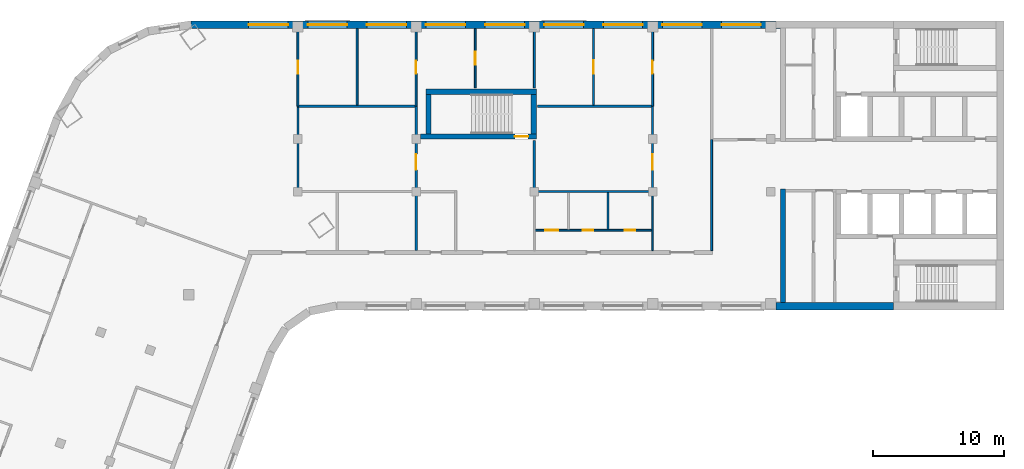
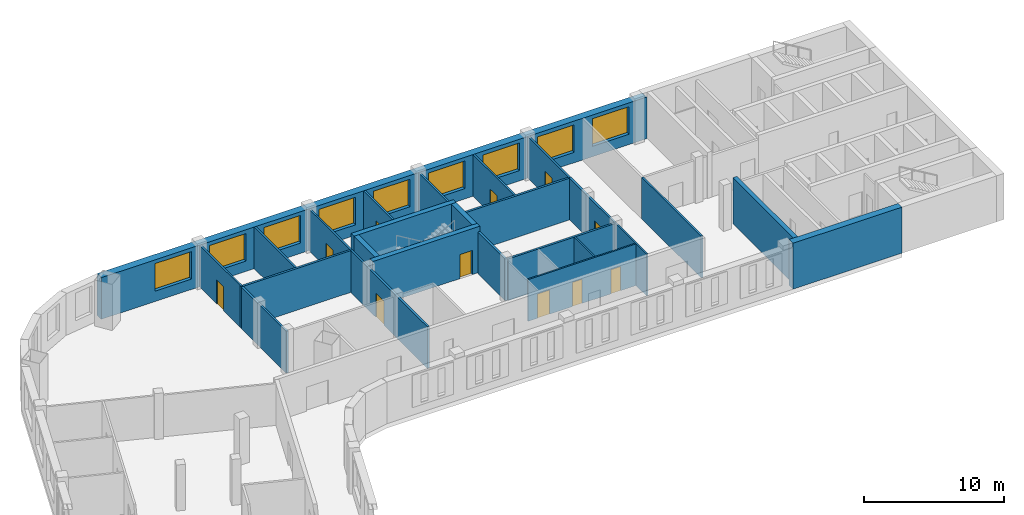
# One storey, part 5 of 9: 25 walls, 11 doors, 9 windows, 20 openings.
"""IFC4 building model written with IfcOpenShell, lengths in metres."""

from ifc_helpers import new_model, si_unit, direction, frame, frame_2d, origin, place, context, subcontext, project, spatial, rectangle, extrude, material, layer, layer_set, type_object, element, fill, save


model = new_model("IFC4")

# Units and contexts
model_context = context("Model", 3, precision=1e-05, world=origin(), true_north=direction((0.0, 1.0)))
body_context = subcontext(model_context, "Body", "Model", "MODEL_VIEW")
ifc_project = project(units=[si_unit("LENGTHUNIT", "METRE"), si_unit("AREAUNIT", "SQUARE_METRE"), si_unit("VOLUMEUNIT", "CUBIC_METRE"), si_unit("PLANEANGLEUNIT", "RADIAN"), si_unit("MASSUNIT", "GRAM", prefix="KILO")], contexts=[model_context])

# Site, building, storey
site_placement = place(None, origin())
site = spatial("IfcSite", under=ifc_project, at=site_placement, CompositionType="ELEMENT")
building_placement = place(site_placement, origin())
building = spatial("IfcBuilding", under=site, at=building_placement, Name="Skarvind Civic Tower", CompositionType="ELEMENT")
storey_placement = place(building_placement, frame((0.0, 0.0, 158.5)))
storey = spatial("IfcBuildingStorey", under=building, at=storey_placement, Name="L37", CompositionType="ELEMENT", Elevation=158.5)

# Walls
ifc_material_1 = material(Name="Acoustic gypsum board on steel studs", Category="steel")
ifc_layer_1 = layer(ifc_material_1, 0.175048828125)
ifc_layer_set_1 = layer_set([ifc_layer_1], Name="ACOUSTIC MEETING-ROOM PARTITION 175")
wall_type_1 = type_object("IfcWallType", Name="ACOUSTIC MEETING-ROOM PARTITION 175", PredefinedType="PARTITIONING", material=ifc_layer_set_1)
wall_1_placement = place(storey_placement, frame((54.25, 126.001953125, 0.0), z_axis=(0.0, 0.0, 1.0), x_axis=(0.0, 1.0, 0.0)))
element("IfcWall", 1, at=wall_1_placement, inside=storey, type_object=wall_type_1, Name="Partition 37.020", PredefinedType="PARTITIONING", context=body_context, shape_type="SweptSolid", body=[
    extrude(rectangle(XDim=6.41015625, YDim=0.175048828125, at=frame_2d((3.205078125, 0.0))), origin(), (0.0, 0.0, 1.0), 3.625),
])
wall_2_placement = place(storey_placement, frame((63.162109375, 132.5, 0.0), z_axis=(0.0, 0.0, 1.0), x_axis=(-1.0, 0.0, 0.0)))
element("IfcWall", 2, at=wall_2_placement, inside=storey, type_object=wall_type_1, Name="Partition 37.025", PredefinedType="PARTITIONING", context=body_context, shape_type="SweptSolid", body=[
    extrude(rectangle(XDim=9.0, YDim=0.175048828125, at=frame_2d((4.5, 0.0))), origin(), (0.0, 0.0, 1.0), 3.625),
])

# Wall, opening, door
wall_3_placement = place(storey_placement, frame((63.25, 132.5, 0.0), z_axis=(0.0, 0.0, 1.0), x_axis=(0.0, -1.0, 0.0)))
wall_3 = element("IfcWall", 3, at=wall_3_placement, inside=storey, type_object=wall_type_1, Name="Partition 37.026", PredefinedType="PARTITIONING", context=body_context, shape_type="SweptSolid", body=[
    extrude(rectangle(XDim=11.0, YDim=0.175048828125, at=frame_2d((5.5, 0.0))), origin(), (0.0, 0.0, 1.0), 3.625),
])
opening_1_placement = place(wall_3_placement, frame((3.64990234375, 0.0, 0.0)))
opening_1 = element("IfcOpeningElement", 4, at=opening_1_placement, cuts=wall_3, Name="Opening L37-D026", PredefinedType="OPENING", context=body_context, shape_type="SweptSolid", body=[
    extrude(rectangle(XDim=1.199951171875, YDim=2.10009765625, at=frame_2d((0.60009765625, 1.050048828125))), frame((0.0, 0.097412109375, 0.0), z_axis=(0.0, -1.0, 0.0), x_axis=(1.0, 0.0, 0.0)), (0.0, 0.0, 1.0), 0.195068359375),
])
ifc_material_2 = material(Name="Timber door leaf", Category="wood")
door_type_1 = type_object("IfcDoorType", Name="DOOR 1200X2100 DOUBLE TIMBER", OperationType="NOTDEFINED", PredefinedType="DOOR", material=ifc_material_2)
door_1_placement = place(opening_1_placement, origin())
door_1 = element("IfcDoor", 5, at=door_1_placement, inside=storey, type_object=door_type_1, Name="Door L37-D026", OperationType="DOUBLE_DOOR_SINGLE_SWING", OverallHeight=2.10009765625, OverallWidth=1.199951171875, PredefinedType="DOOR", context=body_context, shape_type="SweptSolid", body=[
    extrude(rectangle(XDim=1.199951171875, YDim=2.10009765625, at=frame_2d((0.60009765625, 1.050048828125))), frame((0.0, 0.02490234375, 0.0), z_axis=(0.0, -1.0, 0.0), x_axis=(1.0, 0.0, 0.0)), (0.0, 0.0, 1.0), 0.050048828125),
])
fill(opening_1, door_1)

# Walls
wall_4_placement = place(storey_placement, frame((72.337890625, 126.0, 0.0), z_axis=(0.0, 0.0, 1.0), x_axis=(1.0, 0.0, 0.0)))
element("IfcWall", 6, at=wall_4_placement, inside=storey, type_object=wall_type_1, Name="Partition 37.033", PredefinedType="PARTITIONING", context=body_context, shape_type="SweptSolid", body=[
    extrude(rectangle(XDim=8.82421875, YDim=0.175048828125, at=frame_2d((4.412109375, 0.0))), origin(), (0.0, 0.0, 1.0), 3.625),
])
wall_5_placement = place(storey_placement, frame((72.25, 129.89990234375, 0.0), z_axis=(0.0, 0.0, 1.0), x_axis=(0.0, -1.0, 0.0)))
element("IfcWall", 7, at=wall_5_placement, inside=storey, type_object=wall_type_1, Name="Partition 37.034", PredefinedType="PARTITIONING", context=body_context, shape_type="SweptSolid", body=[
    extrude(rectangle(XDim=3.89990234375, YDim=0.175048828125, at=frame_2d((1.949951171875, 0.0))), origin(), (0.0, 0.0, 1.0), 3.625),
])

# Wall, opening, door
wall_6_placement = place(storey_placement, frame((81.25, 132.5, 0.0), z_axis=(0.0, 0.0, 1.0), x_axis=(0.0, -1.0, 0.0)))
wall_6 = element("IfcWall", 8, at=wall_6_placement, inside=storey, type_object=wall_type_1, Name="Partition 37.040", PredefinedType="PARTITIONING", context=body_context, shape_type="SweptSolid", body=[
    extrude(rectangle(XDim=6.5, YDim=0.175048828125, at=frame_2d((3.25, 0.0))), origin(), (0.0, 0.0, 1.0), 3.625),
])
opening_2_placement = place(wall_6_placement, frame((3.64990234375, 0.0, 0.0)))
opening_2 = element("IfcOpeningElement", 9, at=opening_2_placement, cuts=wall_6, Name="Opening L37-D025", PredefinedType="OPENING", context=body_context, shape_type="SweptSolid", body=[
    extrude(rectangle(XDim=1.199951171875, YDim=2.10009765625, at=frame_2d((0.60009765625, 1.050048828125))), frame((0.0, 0.097412109375, 0.0), z_axis=(0.0, -1.0, 0.0), x_axis=(1.0, 0.0, 0.0)), (0.0, 0.0, 1.0), 0.195068359375),
])
door_2_placement = place(opening_2_placement, origin())
door_2 = element("IfcDoor", 10, at=door_2_placement, inside=storey, type_object=door_type_1, Name="Door L37-D025", OperationType="DOUBLE_DOOR_SINGLE_SWING", OverallHeight=2.10009765625, OverallWidth=1.199951171875, PredefinedType="DOOR", context=body_context, shape_type="SweptSolid", body=[
    extrude(rectangle(XDim=1.199951171875, YDim=2.10009765625, at=frame_2d((0.60009765625, 1.050048828125))), frame((0.0, 0.02490234375, 0.0), z_axis=(0.0, -1.0, 0.0), x_axis=(1.0, 0.0, 0.0)), (0.0, 0.0, 1.0), 0.050048828125),
])
fill(opening_2, door_2)

# Walls
wall_7_placement = place(storey_placement, frame((81.162109375, 132.5, 0.0), z_axis=(0.0, 0.0, 1.0), x_axis=(-1.0, 0.0, 0.0)))
element("IfcWall", 11, at=wall_7_placement, inside=storey, type_object=wall_type_1, Name="Partition 37.041", PredefinedType="PARTITIONING", context=body_context, shape_type="SweptSolid", body=[
    extrude(rectangle(XDim=8.662109375, YDim=0.175048828125, at=frame_2d((4.3310546875, 0.0))), origin(), (0.0, 0.0, 1.0), 3.625),
])
ifc_material_3 = material(Name="Concrete C60", Category="concrete")
ifc_layer_2 = layer(ifc_material_3, 0.35009765625)
ifc_layer_set_2 = layer_set([ifc_layer_2], Name="Core wall 350 C60")
wall_type_2 = type_object("IfcWallType", Name="Core wall 350 C60", PredefinedType="SHEAR", material=ifc_layer_set_2)
wall_8_placement = place(storey_placement, frame((91.175048828125, 126.199951171875, 0.0), z_axis=(0.0, 0.0, 1.0), x_axis=(0.0, -1.0, 0.0)))
element("IfcWall", 12, at=wall_8_placement, inside=storey, type_object=wall_type_2, Name="Core wall C1 north inner face L37", PredefinedType="SHEAR", context=body_context, shape_type="SweptSolid", body=[
    extrude(rectangle(XDim=8.64990234375, YDim=0.35009765625, at=frame_2d((4.324951171875, 0.0))), origin(), (0.0, 0.0, 1.0), 4.0),
])

# Wall, opening, door
ifc_layer_3 = layer(ifc_material_3, 0.39990234375)
ifc_layer_set_3 = layer_set([ifc_layer_3], Name="Core wall 400 C60")
wall_type_3 = type_object("IfcWallType", Name="Core wall 400 C60", PredefinedType="SHEAR", material=ifc_layer_set_3)
wall_9_placement = place(storey_placement, frame((63.574951171875, 130.199951171875, 0.0), z_axis=(0.0, 0.0, 1.0), x_axis=(1.0, 0.0, 0.0)))
wall_9 = element("IfcWall", 13, at=wall_9_placement, inside=storey, type_object=wall_type_3, Name="Core wall CM inner L37", PredefinedType="SHEAR", context=body_context, shape_type="SweptSolid", body=[
    extrude(rectangle(XDim=8.824951171875, YDim=0.39990234375, at=frame_2d((4.41259765625, 0.0))), origin(), (0.0, 0.0, 1.0), 4.0),
])
opening_3_placement = place(wall_9_placement, frame((7.199951171875, 0.0, 0.0)))
opening_3 = element("IfcOpeningElement", 14, at=opening_3_placement, cuts=wall_9, Name="Opening D-L37-CM-01", PredefinedType="OPENING", context=body_context, shape_type="SweptSolid", body=[
    extrude(rectangle(XDim=1.0, YDim=2.10009765625, at=frame_2d((0.5, 1.050048828125))), frame((0.0, 0.2099609375, 0.0), z_axis=(0.0, -1.0, 0.0), x_axis=(1.0, 0.0, 0.0)), (0.0, 0.0, 1.0), 0.419921875),
])
ifc_material_4 = material(Name="Fire-rated steel door", Category="steel")
door_type_2 = type_object("IfcDoorType", Name="Fire door 1000", OperationType="NOTDEFINED", PredefinedType="DOOR", material=ifc_material_4)
door_3_placement = place(opening_3_placement, origin())
door_3 = element("IfcDoor", 15, at=door_3_placement, inside=storey, type_object=door_type_2, Name="Fire door", OperationType="SINGLE_SWING_LEFT", OverallHeight=2.10009765625, OverallWidth=1.0, PredefinedType="DOOR", context=body_context, shape_type="SweptSolid", body=[
    extrude(rectangle(XDim=1.0, YDim=2.10009765625, at=frame_2d((0.5, 1.050048828125))), frame((0.0, 0.02490234375, 0.0), z_axis=(0.0, -1.0, 0.0), x_axis=(1.0, 0.0, 0.0)), (0.0, 0.0, 1.0), 0.050048828125),
])
fill(opening_3, door_3)

# Walls
wall_10_placement = place(storey_placement, frame((64.0, 133.60009765625, 0.0), z_axis=(0.0, 0.0, 1.0), x_axis=(1.0, 0.0, 0.0)))
element("IfcWall", 16, at=wall_10_placement, inside=storey, type_object=wall_type_3, Name="Core wall CM outer L37", PredefinedType="SHEAR", context=body_context, shape_type="SweptSolid", body=[
    extrude(rectangle(XDim=8.39990234375, YDim=0.39990234375, at=frame_2d((4.199951171875, 0.0))), origin(), (0.0, 0.0, 1.0), 4.0),
])
for number, where, z_axis, x_axis, name in (
    (17, (64.199951171875, 130.39990234375, 0.0), (0.0, 0.0, 1.0), (0.0, 1.0, 0.0), "Core wall CM west L37"),
    (18, (72.199951171875, 130.39990234375, 0.0), (0.0, 0.0, 1.0), (0.0, 1.0, 0.0), "Core wall CM end L37"),
):
    element("IfcWall", number, at=place(storey_placement, frame(where, z_axis=z_axis, x_axis=x_axis)), inside=storey, type_object=wall_type_3, Name=name, PredefinedType="SHEAR", context=body_context, shape_type="SweptSolid", body=[
        extrude(rectangle(XDim=3.0, YDim=0.39990234375, at=frame_2d((1.5, 0.0))), origin(), (0.0, 0.0, 1.0), 4.0),
    ])
ifc_layer_4 = layer(ifc_material_3, 0.550048828125)
ifc_layer_set_4 = layer_set([ifc_layer_4], Name="Core wall 550 C60")
wall_type_4 = type_object("IfcWallType", Name="Core wall 550 C60", PredefinedType="SHEAR", material=ifc_layer_set_4)
wall_11_placement = place(storey_placement, frame((99.60009765625, 117.27490234375, 0.0), z_axis=(0.0, 0.0, 1.0), x_axis=(-1.0, 0.0, 0.0)))
element("IfcWall", 19, at=wall_11_placement, inside=storey, type_object=wall_type_4, Name="Core wall C1 north side L37", PredefinedType="SHEAR", context=body_context, shape_type="SweptSolid", body=[
    extrude(rectangle(XDim=8.9501953125, YDim=0.550048828125, at=frame_2d((4.47509765625, 0.0))), origin(), (0.0, 0.0, 1.0), 4.0),
])

# Wall, opening, door
ifc_material_5 = material(Name="Plasterboard partition on steel studs", Category="steel")
ifc_layer_5 = layer(ifc_material_5, 0.14990234375)
ifc_layer_set_5 = layer_set([ifc_layer_5], Name="PARTITION 150")
wall_type_5 = type_object("IfcWallType", Name="PARTITION 150", PredefinedType="PARTITIONING", material=ifc_layer_set_5)
wall_12_placement = place(storey_placement, frame((54.25, 132.4970703125, 0.0), z_axis=(0.0, 0.0, 1.0), x_axis=(0.0, 1.0, 0.0)))
wall_12 = element("IfcWall", 20, at=wall_12_placement, inside=storey, type_object=wall_type_5, Name="Partition 37.021", PredefinedType="PARTITIONING", context=body_context, shape_type="SweptSolid", body=[
    extrude(rectangle(XDim=5.90185546875, YDim=0.14990234375, at=frame_2d((2.950927734375, 0.0))), origin(), (0.0, 0.0, 1.0), 3.625),
])
opening_4_placement = place(wall_12_placement, frame((2.452880859375, 0.0, 0.0)))
opening_4 = element("IfcOpeningElement", 21, at=opening_4_placement, cuts=wall_12, Name="Opening L37-D013", PredefinedType="OPENING", context=body_context, shape_type="SweptSolid", body=[
    extrude(rectangle(XDim=1.0, YDim=2.10009765625, at=frame_2d((0.5, 1.050048828125))), frame((0.0, 0.0849609375, 0.0), z_axis=(0.0, -1.0, 0.0), x_axis=(1.0, 0.0, 0.0)), (0.0, 0.0, 1.0), 0.169921875),
])
door_type_3 = type_object("IfcDoorType", Name="D1 1000x2100", OperationType="NOTDEFINED", PredefinedType="DOOR", material=ifc_material_2)
door_4_placement = place(opening_4_placement, origin())
door_4 = element("IfcDoor", 22, at=door_4_placement, inside=storey, type_object=door_type_3, Name="Door L37-D013", OperationType="SINGLE_SWING_LEFT", OverallHeight=2.10009765625, OverallWidth=1.0, PredefinedType="DOOR", context=body_context, shape_type="SweptSolid", body=[
    extrude(rectangle(XDim=1.0, YDim=2.10009765625, at=frame_2d((0.5, 1.050048828125))), frame((0.0, 0.02490234375, 0.0), z_axis=(0.0, -1.0, 0.0), x_axis=(1.0, 0.0, 0.0)), (0.0, 0.0, 1.0), 0.050048828125),
])
fill(opening_4, door_4)

# Wall
wall_13_placement = place(storey_placement, frame((58.75, 132.587890625, 0.0), z_axis=(0.0, 0.0, 1.0), x_axis=(0.0, 1.0, 0.0)))
element("IfcWall", 23, at=wall_13_placement, inside=storey, type_object=wall_type_5, Name="Partition 37.024", PredefinedType="PARTITIONING", context=body_context, shape_type="SweptSolid", body=[
    extrude(rectangle(XDim=5.81201171875, YDim=0.14990234375, at=frame_2d((2.906005859375, 0.0))), origin(), (0.0, 0.0, 1.0), 3.625),
])

# Wall, opening, door
wall_14_placement = place(storey_placement, frame((63.25, 138.39990234375, 0.0), z_axis=(0.0, 0.0, 1.0), x_axis=(0.0, -1.0, 0.0)))
wall_14 = element("IfcWall", 24, at=wall_14_placement, inside=storey, type_object=wall_type_5, Name="Partition 37.027", PredefinedType="PARTITIONING", context=body_context, shape_type="SweptSolid", body=[
    extrude(rectangle(XDim=5.89990234375, YDim=0.14990234375, at=frame_2d((2.949951171875, 0.0))), origin(), (0.0, 0.0, 1.0), 3.625),
])
opening_5_placement = place(wall_14_placement, frame((2.449951171875, 0.0, 0.0)))
opening_5 = element("IfcOpeningElement", 25, at=opening_5_placement, cuts=wall_14, Name="Opening L37-D012", PredefinedType="OPENING", context=body_context, shape_type="SweptSolid", body=[
    extrude(rectangle(XDim=1.0, YDim=2.10009765625, at=frame_2d((0.5, 1.050048828125))), frame((0.0, 0.0849609375, 0.0), z_axis=(0.0, -1.0, 0.0), x_axis=(1.0, 0.0, 0.0)), (0.0, 0.0, 1.0), 0.169921875),
])
door_5_placement = place(opening_5_placement, origin())
door_5 = element("IfcDoor", 26, at=door_5_placement, inside=storey, type_object=door_type_3, Name="Door L37-D012", OperationType="SINGLE_SWING_LEFT", OverallHeight=2.10009765625, OverallWidth=1.0, PredefinedType="DOOR", context=body_context, shape_type="SweptSolid", body=[
    extrude(rectangle(XDim=1.0, YDim=2.10009765625, at=frame_2d((0.5, 1.050048828125))), frame((0.0, 0.02490234375, 0.0), z_axis=(0.0, -1.0, 0.0), x_axis=(1.0, 0.0, 0.0)), (0.0, 0.0, 1.0), 0.050048828125),
])
fill(opening_5, door_5)

wall_15_placement = place(storey_placement, frame((67.75, 133.89990234375, 0.0), z_axis=(0.0, 0.0, 1.0), x_axis=(0.0, 1.0, 0.0)))
wall_15 = element("IfcWall", 27, at=wall_15_placement, inside=storey, type_object=wall_type_5, Name="Partition 37.030", PredefinedType="PARTITIONING", context=body_context, shape_type="SweptSolid", body=[
    extrude(rectangle(XDim=4.5, YDim=0.14990234375, at=frame_2d((2.25, 0.0))), origin(), (0.0, 0.0, 1.0), 3.625),
])
opening_6_placement = place(wall_15_placement, frame((1.75, 0.0, 0.0)))
opening_6 = element("IfcOpeningElement", 28, at=opening_6_placement, cuts=wall_15, Name="Opening L37-D011", PredefinedType="OPENING", context=body_context, shape_type="SweptSolid", body=[
    extrude(rectangle(XDim=1.0, YDim=2.10009765625, at=frame_2d((0.5, 1.050048828125))), frame((0.0, 0.0849609375, 0.0), z_axis=(0.0, -1.0, 0.0), x_axis=(1.0, 0.0, 0.0)), (0.0, 0.0, 1.0), 0.169921875),
])
door_6_placement = place(opening_6_placement, origin())
door_6 = element("IfcDoor", 29, at=door_6_placement, inside=storey, type_object=door_type_3, Name="Door L37-D011", OperationType="SINGLE_SWING_LEFT", OverallHeight=2.10009765625, OverallWidth=1.0, PredefinedType="DOOR", context=body_context, shape_type="SweptSolid", body=[
    extrude(rectangle(XDim=1.0, YDim=2.10009765625, at=frame_2d((0.5, 1.050048828125))), frame((0.0, 0.02490234375, 0.0), z_axis=(0.0, -1.0, 0.0), x_axis=(1.0, 0.0, 0.0)), (0.0, 0.0, 1.0), 0.050048828125),
])
fill(opening_6, door_6)

# Wall
wall_16_placement = place(storey_placement, frame((72.25, 133.89990234375, 0.0), z_axis=(0.0, 0.0, 1.0), x_axis=(0.0, 1.0, 0.0)))
element("IfcWall", 30, at=wall_16_placement, inside=storey, type_object=wall_type_5, Name="Partition 37.035", PredefinedType="PARTITIONING", context=body_context, shape_type="SweptSolid", body=[
    extrude(rectangle(XDim=4.5, YDim=0.14990234375, at=frame_2d((2.25, 0.0))), origin(), (0.0, 0.0, 1.0), 3.625),
])

# Wall, opening, door
wall_17_placement = place(storey_placement, frame((76.75, 138.39990234375, 0.0), z_axis=(0.0, 0.0, 1.0), x_axis=(0.0, -1.0, 0.0)))
wall_17 = element("IfcWall", 31, at=wall_17_placement, inside=storey, type_object=wall_type_5, Name="Partition 37.037", PredefinedType="PARTITIONING", context=body_context, shape_type="SweptSolid", body=[
    extrude(rectangle(XDim=5.81201171875, YDim=0.14990234375, at=frame_2d((2.906005859375, 0.0))), origin(), (0.0, 0.0, 1.0), 3.625),
])
opening_7_placement = place(wall_17_placement, frame((2.416015625, 0.0, 0.0)))
opening_7 = element("IfcOpeningElement", 32, at=opening_7_placement, cuts=wall_17, Name="Opening L37-D007", PredefinedType="OPENING", context=body_context, shape_type="SweptSolid", body=[
    extrude(rectangle(XDim=1.0, YDim=2.10009765625, at=frame_2d((0.5, 1.050048828125))), frame((0.0, 0.0849609375, 0.0), z_axis=(0.0, -1.0, 0.0), x_axis=(1.0, 0.0, 0.0)), (0.0, 0.0, 1.0), 0.169921875),
])
door_7_placement = place(opening_7_placement, origin())
door_7 = element("IfcDoor", 33, at=door_7_placement, inside=storey, type_object=door_type_3, Name="Door L37-D007", OperationType="SINGLE_SWING_LEFT", OverallHeight=2.10009765625, OverallWidth=1.0, PredefinedType="DOOR", context=body_context, shape_type="SweptSolid", body=[
    extrude(rectangle(XDim=1.0, YDim=2.10009765625, at=frame_2d((0.5, 1.050048828125))), frame((0.0, 0.02490234375, 0.0), z_axis=(0.0, -1.0, 0.0), x_axis=(1.0, 0.0, 0.0)), (0.0, 0.0, 1.0), 0.050048828125),
])
fill(opening_7, door_7)

wall_18_placement = place(storey_placement, frame((81.25, 138.39990234375, 0.0), z_axis=(0.0, 0.0, 1.0), x_axis=(0.0, -1.0, 0.0)))
wall_18 = element("IfcWall", 34, at=wall_18_placement, inside=storey, type_object=wall_type_5, Name="Partition 37.042", PredefinedType="PARTITIONING", context=body_context, shape_type="SweptSolid", body=[
    extrude(rectangle(XDim=5.89990234375, YDim=0.14990234375, at=frame_2d((2.949951171875, 0.0))), origin(), (0.0, 0.0, 1.0), 3.625),
])
opening_8_placement = place(wall_18_placement, frame((2.449951171875, 0.0, 0.0)))
opening_8 = element("IfcOpeningElement", 35, at=opening_8_placement, cuts=wall_18, Name="Opening L37-D006", PredefinedType="OPENING", context=body_context, shape_type="SweptSolid", body=[
    extrude(rectangle(XDim=1.0, YDim=2.10009765625, at=frame_2d((0.5, 1.050048828125))), frame((0.0, 0.0849609375, 0.0), z_axis=(0.0, -1.0, 0.0), x_axis=(1.0, 0.0, 0.0)), (0.0, 0.0, 1.0), 0.169921875),
])
door_8_placement = place(opening_8_placement, origin())
door_8 = element("IfcDoor", 36, at=door_8_placement, inside=storey, type_object=door_type_3, Name="Door L37-D006", OperationType="SINGLE_SWING_LEFT", OverallHeight=2.10009765625, OverallWidth=1.0, PredefinedType="DOOR", context=body_context, shape_type="SweptSolid", body=[
    extrude(rectangle(XDim=1.0, YDim=2.10009765625, at=frame_2d((0.5, 1.050048828125))), frame((0.0, 0.02490234375, 0.0), z_axis=(0.0, -1.0, 0.0), x_axis=(1.0, 0.0, 0.0)), (0.0, 0.0, 1.0), 0.050048828125),
])
fill(opening_8, door_8)

# Wall
wall_19_placement = place(storey_placement, frame((85.75, 121.5, 0.0), z_axis=(0.0, 0.0, 1.0), x_axis=(0.0, 1.0, 0.0)))
element("IfcWall", 37, at=wall_19_placement, inside=storey, type_object=wall_type_5, Name="Partition 37.043", PredefinedType="PARTITIONING", context=body_context, shape_type="SweptSolid", body=[
    extrude(rectangle(XDim=8.449951171875, YDim=0.14990234375, at=frame_2d((4.22509765625, 0.0))), origin(), (0.0, 0.0, 1.0), 3.625),
])

# Wall, openings, doors
ifc_material_6 = material(Name="Moisture-resistant gypsum board on steel studs", Category="steel")
ifc_layer_6 = layer(ifc_material_6, 0.125)
ifc_layer_set_6 = layer_set([ifc_layer_6], Name="WC PARTITION 125")
wall_type_6 = type_object("IfcWallType", Name="WC PARTITION 125", PredefinedType="PARTITIONING", material=ifc_layer_set_6)
wall_20_placement = place(storey_placement, frame((72.31201171875, 123.050048828125, 0.0), z_axis=(0.0, 0.0, 1.0), x_axis=(1.0, 0.0, 0.0)))
wall_20 = element("IfcWall", 38, at=wall_20_placement, inside=storey, type_object=wall_type_6, Name="Partition 37.032", PredefinedType="PARTITIONING", context=body_context, shape_type="SweptSolid", body=[
    extrude(rectangle(XDim=8.8759765625, YDim=0.125, at=frame_2d((4.43798828125, 0.0))), origin(), (0.0, 0.0, 1.0), 3.625),
])
opening_9_placement = place(wall_20_placement, frame((6.81689453125, 0.0, 0.0)))
opening_9 = element("IfcOpeningElement", 39, at=opening_9_placement, cuts=wall_20, Name="Opening L37-D003", PredefinedType="OPENING", context=body_context, shape_type="SweptSolid", body=[
    extrude(rectangle(XDim=0.800048828125, YDim=2.10009765625, at=frame_2d((0.39990234375, 1.050048828125))), frame((0.0, 0.072509765625, 0.0), z_axis=(0.0, -1.0, 0.0), x_axis=(1.0, 0.0, 0.0)), (0.0, 0.0, 1.0), 0.14501953125),
])
opening_10_placement = place(wall_20_placement, frame((3.637939453125, 0.0, 0.0)))
opening_10 = element("IfcOpeningElement", 40, at=opening_10_placement, cuts=wall_20, Name="Opening L37-D004", PredefinedType="OPENING", context=body_context, shape_type="SweptSolid", body=[
    extrude(rectangle(XDim=0.800048828125, YDim=2.10009765625, at=frame_2d((0.39990234375, 1.050048828125))), frame((0.0, 0.072509765625, 0.0), z_axis=(0.0, -1.0, 0.0), x_axis=(1.0, 0.0, 0.0)), (0.0, 0.0, 1.0), 0.14501953125),
])
opening_11_placement = place(wall_20_placement, frame((0.759033203125, 0.0, 0.0)))
opening_11 = element("IfcOpeningElement", 41, at=opening_11_placement, cuts=wall_20, Name="Opening L37-D005", PredefinedType="OPENING", context=body_context, shape_type="SweptSolid", body=[
    extrude(rectangle(XDim=1.0, YDim=2.10009765625, at=frame_2d((0.5, 1.050048828125))), frame((0.0, 0.072509765625, 0.0), z_axis=(0.0, -1.0, 0.0), x_axis=(1.0, 0.0, 0.0)), (0.0, 0.0, 1.0), 0.14501953125),
])
door_9_placement = place(opening_11_placement, origin())
door_9 = element("IfcDoor", 42, at=door_9_placement, inside=storey, type_object=door_type_3, Name="Door L37-D005", OperationType="SINGLE_SWING_LEFT", OverallHeight=2.10009765625, OverallWidth=1.0, PredefinedType="DOOR", context=body_context, shape_type="SweptSolid", body=[
    extrude(rectangle(XDim=1.0, YDim=2.10009765625, at=frame_2d((0.5, 1.050048828125))), frame((0.0, 0.02490234375, 0.0), z_axis=(0.0, -1.0, 0.0), x_axis=(1.0, 0.0, 0.0)), (0.0, 0.0, 1.0), 0.050048828125),
])
fill(opening_11, door_9)
door_type_4 = type_object("IfcDoorType", Name="DOOR 800X2100 TIMBER", OperationType="NOTDEFINED", PredefinedType="DOOR", material=ifc_material_2)
door_10_placement = place(opening_9_placement, origin())
door_10 = element("IfcDoor", 43, at=door_10_placement, inside=storey, type_object=door_type_4, Name="Door L37-D003", OperationType="SINGLE_SWING_RIGHT", OverallHeight=2.10009765625, OverallWidth=0.800048828125, PredefinedType="DOOR", context=body_context, shape_type="SweptSolid", body=[
    extrude(rectangle(XDim=0.800048828125, YDim=2.10009765625, at=frame_2d((0.39990234375, 1.050048828125))), frame((0.0, 0.02490234375, 0.0), z_axis=(0.0, -1.0, 0.0), x_axis=(1.0, 0.0, 0.0)), (0.0, 0.0, 1.0), 0.050048828125),
])
fill(opening_9, door_10)
door_11_placement = place(opening_10_placement, origin())
door_11 = element("IfcDoor", 44, at=door_11_placement, inside=storey, type_object=door_type_4, Name="Door L37-D004", OperationType="SINGLE_SWING_LEFT", OverallHeight=2.10009765625, OverallWidth=0.800048828125, PredefinedType="DOOR", context=body_context, shape_type="SweptSolid", body=[
    extrude(rectangle(XDim=0.800048828125, YDim=2.10009765625, at=frame_2d((0.39990234375, 1.050048828125))), frame((0.0, 0.02490234375, 0.0), z_axis=(0.0, -1.0, 0.0), x_axis=(1.0, 0.0, 0.0)), (0.0, 0.0, 1.0), 0.050048828125),
])
fill(opening_10, door_11)

# Walls
wall_21_placement = place(storey_placement, frame((77.85009765625, 125.912109375, 0.0), z_axis=(0.0, 0.0, 1.0), x_axis=(0.0, -1.0, 0.0)))
element("IfcWall", 45, at=wall_21_placement, inside=storey, type_object=wall_type_6, Name="Partition 37.038", PredefinedType="PARTITIONING", context=body_context, shape_type="SweptSolid", body=[
    extrude(rectangle(XDim=2.800048828125, YDim=0.125, at=frame_2d((1.39990234375, 0.0))), origin(), (0.0, 0.0, 1.0), 3.625),
])
wall_22_placement = place(storey_placement, frame((81.25, 121.5, 0.0), z_axis=(0.0, 0.0, 1.0), x_axis=(0.0, 1.0, 0.0)))
element("IfcWall", 46, at=wall_22_placement, inside=storey, type_object=wall_type_6, Name="Partition 37.039", PredefinedType="PARTITIONING", context=body_context, shape_type="SweptSolid", body=[
    extrude(rectangle(XDim=4.5, YDim=0.125, at=frame_2d((2.25, 0.0))), origin(), (0.0, 0.0, 1.0), 3.625),
])

# Wall, openings, windows
ifc_material_7 = material(Name="Limestone masonry cladding on insulated backing", Category="masonry")
ifc_layer_7 = layer(ifc_material_7, 0.60009765625)
ifc_layer_set_7 = layer_set([ifc_layer_7], Name="WX1 STONE FACADE WALL 600")
wall_type_7 = type_object("IfcWallType", Name="WX1 STONE FACADE WALL 600", PredefinedType="SOLIDWALL", material=ifc_layer_set_7)
wall_23_placement = place(storey_placement, frame((46.095458984375, 138.699951171875, 0.0), z_axis=(0.0, 0.0, 1.0), x_axis=(1.0, 0.0, 0.0)))
wall_23 = element("IfcWall", 47, at=wall_23_placement, inside=storey, type_object=wall_type_7, Name="STONE FACADE WALL", PredefinedType="SOLIDWALL", context=body_context, shape_type="SweptSolid", body=[
    extrude(rectangle(XDim=44.884521484375, YDim=0.60009765625, at=frame_2d((22.4423828125, 0.0))), origin(), (0.0, 0.0, 1.0), 3.625),
])
opening_12_placement = place(wall_23_placement, frame((4.404541015625, 0.0, 0.89990234375)))
opening_12 = element("IfcOpeningElement", 48, at=opening_12_placement, cuts=wall_23, Name="Opening WN1", PredefinedType="OPENING", context=body_context, shape_type="SweptSolid", body=[
    extrude(rectangle(XDim=3.0, YDim=2.39990234375, at=frame_2d((1.5, 1.199951171875))), frame((0.0, 0.31005859375, 0.0), z_axis=(0.0, -1.0, 0.0), x_axis=(1.0, 0.0, 0.0)), (0.0, 0.0, 1.0), 0.6201171875),
])
opening_13_placement = place(wall_23_placement, frame((8.904541015625, 0.0, 0.89990234375)))
opening_13 = element("IfcOpeningElement", 49, at=opening_13_placement, cuts=wall_23, Name="Opening WN1", PredefinedType="OPENING", context=body_context, shape_type="SweptSolid", body=[
    extrude(rectangle(XDim=3.0, YDim=2.39990234375, at=frame_2d((1.5, 1.199951171875))), frame((0.0, 0.31005859375, 0.0), z_axis=(0.0, -1.0, 0.0), x_axis=(1.0, 0.0, 0.0)), (0.0, 0.0, 1.0), 0.6201171875),
])
opening_14_placement = place(wall_23_placement, frame((13.404541015625, 0.0, 0.89990234375)))
opening_14 = element("IfcOpeningElement", 50, at=opening_14_placement, cuts=wall_23, Name="Opening WN1", PredefinedType="OPENING", context=body_context, shape_type="SweptSolid", body=[
    extrude(rectangle(XDim=3.0, YDim=2.39990234375, at=frame_2d((1.5, 1.199951171875))), frame((0.0, 0.31005859375, 0.0), z_axis=(0.0, -1.0, 0.0), x_axis=(1.0, 0.0, 0.0)), (0.0, 0.0, 1.0), 0.6201171875),
])
opening_15_placement = place(wall_23_placement, frame((17.904541015625, 0.0, 0.89990234375)))
opening_15 = element("IfcOpeningElement", 51, at=opening_15_placement, cuts=wall_23, Name="Opening WN1", PredefinedType="OPENING", context=body_context, shape_type="SweptSolid", body=[
    extrude(rectangle(XDim=3.0, YDim=2.39990234375, at=frame_2d((1.5, 1.199951171875))), frame((0.0, 0.31005859375, 0.0), z_axis=(0.0, -1.0, 0.0), x_axis=(1.0, 0.0, 0.0)), (0.0, 0.0, 1.0), 0.6201171875),
])
opening_16_placement = place(wall_23_placement, frame((22.404541015625, 0.0, 0.89990234375)))
opening_16 = element("IfcOpeningElement", 52, at=opening_16_placement, cuts=wall_23, Name="Opening WN1", PredefinedType="OPENING", context=body_context, shape_type="SweptSolid", body=[
    extrude(rectangle(XDim=3.0, YDim=2.39990234375, at=frame_2d((1.5, 1.199951171875))), frame((0.0, 0.31005859375, 0.0), z_axis=(0.0, -1.0, 0.0), x_axis=(1.0, 0.0, 0.0)), (0.0, 0.0, 1.0), 0.6201171875),
])
opening_17_placement = place(wall_23_placement, frame((26.904541015625, 0.0, 0.89990234375)))
opening_17 = element("IfcOpeningElement", 53, at=opening_17_placement, cuts=wall_23, Name="Opening WN1", PredefinedType="OPENING", context=body_context, shape_type="SweptSolid", body=[
    extrude(rectangle(XDim=3.0, YDim=2.39990234375, at=frame_2d((1.5, 1.199951171875))), frame((0.0, 0.31005859375, 0.0), z_axis=(0.0, -1.0, 0.0), x_axis=(1.0, 0.0, 0.0)), (0.0, 0.0, 1.0), 0.6201171875),
])
opening_18_placement = place(wall_23_placement, frame((31.404541015625, 0.0, 0.89990234375)))
opening_18 = element("IfcOpeningElement", 54, at=opening_18_placement, cuts=wall_23, Name="Opening WN1", PredefinedType="OPENING", context=body_context, shape_type="SweptSolid", body=[
    extrude(rectangle(XDim=3.0, YDim=2.39990234375, at=frame_2d((1.5, 1.199951171875))), frame((0.0, 0.31005859375, 0.0), z_axis=(0.0, -1.0, 0.0), x_axis=(1.0, 0.0, 0.0)), (0.0, 0.0, 1.0), 0.6201171875),
])
opening_19_placement = place(wall_23_placement, frame((35.904541015625, 0.0, 0.89990234375)))
opening_19 = element("IfcOpeningElement", 55, at=opening_19_placement, cuts=wall_23, Name="Opening WN1", PredefinedType="OPENING", context=body_context, shape_type="SweptSolid", body=[
    extrude(rectangle(XDim=3.0, YDim=2.39990234375, at=frame_2d((1.5, 1.199951171875))), frame((0.0, 0.31005859375, 0.0), z_axis=(0.0, -1.0, 0.0), x_axis=(1.0, 0.0, 0.0)), (0.0, 0.0, 1.0), 0.6201171875),
])
opening_20_placement = place(wall_23_placement, frame((40.404541015625, 0.0, 0.89990234375)))
opening_20 = element("IfcOpeningElement", 56, at=opening_20_placement, cuts=wall_23, Name="Opening WN1", PredefinedType="OPENING", context=body_context, shape_type="SweptSolid", body=[
    extrude(rectangle(XDim=3.0, YDim=2.39990234375, at=frame_2d((1.5, 1.199951171875))), frame((0.0, 0.31005859375, 0.0), z_axis=(0.0, -1.0, 0.0), x_axis=(1.0, 0.0, 0.0)), (0.0, 0.0, 1.0), 0.6201171875),
])
ifc_material_8 = material(Name="Timber frame, double glazing, timber-lined reveal", Category="wood")
window_type = type_object("IfcWindowType", Name="WN1 PUNCHED STONE WINDOW 3000 x 2400", PartitioningType="SINGLE_PANEL", PredefinedType="WINDOW", material=ifc_material_8)
window_1_placement = place(opening_12_placement, origin())
window_1 = element("IfcWindow", 57, at=window_1_placement, inside=storey, type_object=window_type, Name="WN1 WINDOW", OverallHeight=2.39990234375, OverallWidth=3.0, PartitioningType="SINGLE_PANEL", PredefinedType="WINDOW", context=body_context, shape_type="SweptSolid", body=[
    extrude(rectangle(XDim=3.0, YDim=2.39990234375, at=frame_2d((1.5, 1.199951171875))), frame((0.0, 0.030029296875, 0.0), z_axis=(0.0, -1.0, 0.0), x_axis=(1.0, 0.0, 0.0)), (0.0, 0.0, 1.0), 0.06005859375),
])
fill(opening_12, window_1)
window_2_placement = place(opening_13_placement, origin())
window_2 = element("IfcWindow", 58, at=window_2_placement, inside=storey, type_object=window_type, Name="WN1 WINDOW", OverallHeight=2.39990234375, OverallWidth=3.0, PartitioningType="SINGLE_PANEL", PredefinedType="WINDOW", context=body_context, shape_type="SweptSolid", body=[
    extrude(rectangle(XDim=3.0, YDim=2.39990234375, at=frame_2d((1.5, 1.199951171875))), frame((0.0, 0.030029296875, 0.0), z_axis=(0.0, -1.0, 0.0), x_axis=(1.0, 0.0, 0.0)), (0.0, 0.0, 1.0), 0.06005859375),
])
fill(opening_13, window_2)
window_3_placement = place(opening_14_placement, origin())
window_3 = element("IfcWindow", 59, at=window_3_placement, inside=storey, type_object=window_type, Name="WN1 WINDOW", OverallHeight=2.39990234375, OverallWidth=3.0, PartitioningType="SINGLE_PANEL", PredefinedType="WINDOW", context=body_context, shape_type="SweptSolid", body=[
    extrude(rectangle(XDim=3.0, YDim=2.39990234375, at=frame_2d((1.5, 1.199951171875))), frame((0.0, 0.030029296875, 0.0), z_axis=(0.0, -1.0, 0.0), x_axis=(1.0, 0.0, 0.0)), (0.0, 0.0, 1.0), 0.06005859375),
])
fill(opening_14, window_3)
window_4_placement = place(opening_15_placement, origin())
window_4 = element("IfcWindow", 60, at=window_4_placement, inside=storey, type_object=window_type, Name="WN1 WINDOW", OverallHeight=2.39990234375, OverallWidth=3.0, PartitioningType="SINGLE_PANEL", PredefinedType="WINDOW", context=body_context, shape_type="SweptSolid", body=[
    extrude(rectangle(XDim=3.0, YDim=2.39990234375, at=frame_2d((1.5, 1.199951171875))), frame((0.0, 0.030029296875, 0.0), z_axis=(0.0, -1.0, 0.0), x_axis=(1.0, 0.0, 0.0)), (0.0, 0.0, 1.0), 0.06005859375),
])
fill(opening_15, window_4)
window_5_placement = place(opening_16_placement, origin())
window_5 = element("IfcWindow", 61, at=window_5_placement, inside=storey, type_object=window_type, Name="WN1 WINDOW", OverallHeight=2.39990234375, OverallWidth=3.0, PartitioningType="SINGLE_PANEL", PredefinedType="WINDOW", context=body_context, shape_type="SweptSolid", body=[
    extrude(rectangle(XDim=3.0, YDim=2.39990234375, at=frame_2d((1.5, 1.199951171875))), frame((0.0, 0.030029296875, 0.0), z_axis=(0.0, -1.0, 0.0), x_axis=(1.0, 0.0, 0.0)), (0.0, 0.0, 1.0), 0.06005859375),
])
fill(opening_16, window_5)
window_6_placement = place(opening_17_placement, origin())
window_6 = element("IfcWindow", 62, at=window_6_placement, inside=storey, type_object=window_type, Name="WN1 WINDOW", OverallHeight=2.39990234375, OverallWidth=3.0, PartitioningType="SINGLE_PANEL", PredefinedType="WINDOW", context=body_context, shape_type="SweptSolid", body=[
    extrude(rectangle(XDim=3.0, YDim=2.39990234375, at=frame_2d((1.5, 1.199951171875))), frame((0.0, 0.030029296875, 0.0), z_axis=(0.0, -1.0, 0.0), x_axis=(1.0, 0.0, 0.0)), (0.0, 0.0, 1.0), 0.06005859375),
])
fill(opening_17, window_6)
window_7_placement = place(opening_18_placement, origin())
window_7 = element("IfcWindow", 63, at=window_7_placement, inside=storey, type_object=window_type, Name="WN1 WINDOW", OverallHeight=2.39990234375, OverallWidth=3.0, PartitioningType="SINGLE_PANEL", PredefinedType="WINDOW", context=body_context, shape_type="SweptSolid", body=[
    extrude(rectangle(XDim=3.0, YDim=2.39990234375, at=frame_2d((1.5, 1.199951171875))), frame((0.0, 0.030029296875, 0.0), z_axis=(0.0, -1.0, 0.0), x_axis=(1.0, 0.0, 0.0)), (0.0, 0.0, 1.0), 0.06005859375),
])
fill(opening_18, window_7)
window_8_placement = place(opening_19_placement, origin())
window_8 = element("IfcWindow", 64, at=window_8_placement, inside=storey, type_object=window_type, Name="WN1 WINDOW", OverallHeight=2.39990234375, OverallWidth=3.0, PartitioningType="SINGLE_PANEL", PredefinedType="WINDOW", context=body_context, shape_type="SweptSolid", body=[
    extrude(rectangle(XDim=3.0, YDim=2.39990234375, at=frame_2d((1.5, 1.199951171875))), frame((0.0, 0.030029296875, 0.0), z_axis=(0.0, -1.0, 0.0), x_axis=(1.0, 0.0, 0.0)), (0.0, 0.0, 1.0), 0.06005859375),
])
fill(opening_19, window_8)
window_9_placement = place(opening_20_placement, origin())
window_9 = element("IfcWindow", 65, at=window_9_placement, inside=storey, type_object=window_type, Name="WN1 WINDOW", OverallHeight=2.39990234375, OverallWidth=3.0, PartitioningType="SINGLE_PANEL", PredefinedType="WINDOW", context=body_context, shape_type="SweptSolid", body=[
    extrude(rectangle(XDim=3.0, YDim=2.39990234375, at=frame_2d((1.5, 1.199951171875))), frame((0.0, 0.030029296875, 0.0), z_axis=(0.0, -1.0, 0.0), x_axis=(1.0, 0.0, 0.0)), (0.0, 0.0, 1.0), 0.06005859375),
])
fill(opening_20, window_9)

save(model, "model.ifc")
